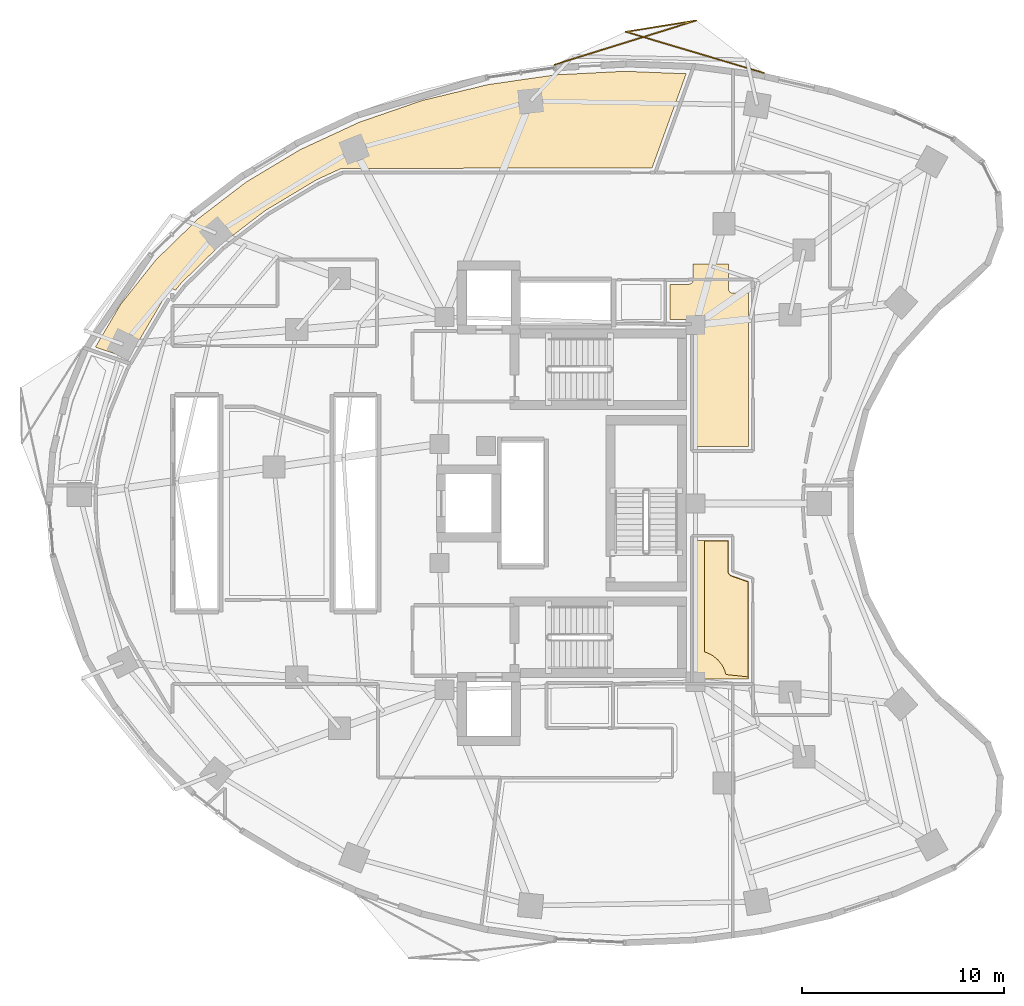
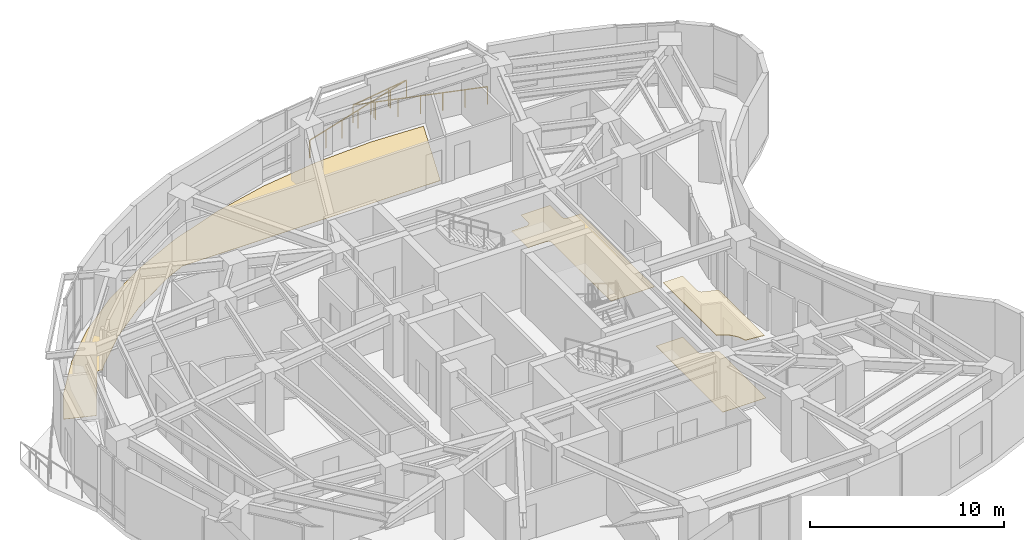
# One storey, part 15 of 15: 4 coverings, 1 railing.
"""IFC4 building model written with IfcOpenShell, lengths in metres."""

import ifcopenshell
import ifcopenshell.guid

model = None  # the IFC model being written
_history = None  # IfcOwnerHistory: only IFC2X3 demands one
_inside = {}  # id of a spatial element -> (the spatial element, [elements in it])
_under = {}  # id of a project, library or spatial element -> (it, [spatial elements below it])
_declared = {}  # id of a project -> (the project, [libraries it declares])
_typed = {}  # id of a type object -> (the type object, [elements of that type])
_made_of = {}  # id of a material, layer set ... -> (it, [elements and type objects made of it])


def new_model(schema):
    """Start an empty IFC model of exactly this schema.

    Asked for "IFC4X3", IfcOpenShell would pick the latest addendum, in which some entities
    have other attributes; the version numbers below select the first issue.
    IFC2X3 requires an IfcOwnerHistory on every rooted entity: one is made here for all.
    """
    global model, _history
    if schema == "IFC4X3":
        model = ifcopenshell.file(schema_version=(4, 3, 0, 0))
    else:
        model = ifcopenshell.file(schema=schema)
    _inside.clear()
    _under.clear()
    _declared.clear()
    _typed.clear()
    _made_of.clear()
    _history = None
    if model.schema == "IFC2X3":
        org = make("IfcOrganization", Name="unknown")
        user = make(
            "IfcPersonAndOrganization",
            ThePerson=make("IfcPerson", FamilyName="unknown"),
            TheOrganization=org,
        )
        app = make(
            "IfcApplication",
            ApplicationDeveloper=org,
            Version="unknown",
            ApplicationFullName="unknown",
            ApplicationIdentifier="unknown",
        )
        _history = make(
            "IfcOwnerHistory",
            OwningUser=user,
            OwningApplication=app,
            ChangeAction="ADDED",
            CreationDate=0,
        )
    return model


def make(cls, **values):
    """One entity of the class cls with the attributes given. An attribute that is None is left unset."""
    return model.create_entity(
        cls, **{name: value for name, value in values.items() if value is not None}
    )


def rooted(cls, **values):
    """An entity with a GlobalId (a new one), such as an element, a storey or a relation."""
    return make(cls, GlobalId=ifcopenshell.guid.new(), OwnerHistory=_history, **values)


def si_unit(unit_type, name, prefix=None):
    """IfcSIUnit, for example si_unit("LENGTHUNIT", "METRE", prefix="MILLI")."""
    return make("IfcSIUnit", UnitType=unit_type, Prefix=prefix, Name=name)


def assignment(units):
    """IfcUnitAssignment: the units of a project."""
    return None if units is None else make("IfcUnitAssignment", Units=units)


def point(xyz):
    """IfcCartesianPoint."""
    return None if xyz is None else make("IfcCartesianPoint", Coordinates=xyz)


def direction(xyz):
    """IfcDirection."""
    return None if xyz is None else make("IfcDirection", DirectionRatios=xyz)


def frame(location, z_axis=None, x_axis=None):
    """IfcAxis2Placement3D, a coordinate frame: its origin and axes. An axis left out is left unset."""
    return make(
        "IfcAxis2Placement3D",
        Location=point(location),
        Axis=direction(z_axis),
        RefDirection=direction(x_axis),
    )


def frame_2d(location, x_axis=None):
    """IfcAxis2Placement2D, a coordinate frame in the plane: its origin and x axis."""
    return make(
        "IfcAxis2Placement2D", Location=point(location), RefDirection=direction(x_axis)
    )


def origin():
    """The frame at (0, 0, 0) with its axes left unset."""
    return frame((0.0, 0.0, 0.0))


def origin_2d():
    """The frame at (0, 0) in the plane with its x axis left unset."""
    return frame_2d((0.0, 0.0))


def place(relative_to, where):
    """IfcLocalPlacement: puts the frame where relative to a parent placement (None: the world)."""
    return make(
        "IfcLocalPlacement", PlacementRelTo=relative_to, RelativePlacement=where
    )


def context(
    kind, dimensions, precision=None, world=None, true_north=None, identifier=None
):
    """IfcGeometricRepresentationContext, for example the 3D "Model" context."""
    return make(
        "IfcGeometricRepresentationContext",
        ContextIdentifier=identifier,
        ContextType=kind,
        CoordinateSpaceDimension=dimensions,
        Precision=precision,
        WorldCoordinateSystem=world,
        TrueNorth=true_north,
    )


def subcontext(parent, identifier, kind, view, scale=None):
    """IfcGeometricRepresentationSubContext, for example "Body" below "Model"."""
    return make(
        "IfcGeometricRepresentationSubContext",
        ContextIdentifier=identifier,
        ContextType=kind,
        ParentContext=parent,
        TargetScale=scale,
        TargetView=view,
    )


def project(units=None, contexts=None):
    """IfcProject with its units and contexts."""
    return rooted(
        "IfcProject",
        Name="project",
        RepresentationContexts=contexts,
        UnitsInContext=assignment(units),
    )


def spatial(cls, under=None, at=None, **own):
    """A site, building, storey or space (cls), placed at a placement, below another one or the project."""
    s = rooted(cls, ObjectPlacement=at, **own)
    if under is not None:
        _under.setdefault(under.id(), (under, []))[1].append(s)
    return s


def polyline(points):
    """IfcPolyline through the points."""
    return make("IfcPolyline", Points=[point(p) for p in points])


def profile(cls, at=None, kind="AREA", **sizes):
    """A parametric profile (cls). Its sizes go by their IFC names, for example OverallWidth=200.0."""
    return make(cls, ProfileType=kind, Position=at, **sizes)


def rectangle(**sizes):
    """IfcRectangleProfileDef."""
    return profile("IfcRectangleProfileDef", **sizes)


def outline(outer, holes=None, kind="AREA"):
    """IfcArbitraryClosedProfileDef: a profile drawn as a closed curve; with holes, ...WithVoids."""
    if holes is None:
        return make("IfcArbitraryClosedProfileDef", ProfileType=kind, OuterCurve=outer)
    return make(
        "IfcArbitraryProfileDefWithVoids",
        ProfileType=kind,
        OuterCurve=outer,
        InnerCurves=holes,
    )


def extrude(swept, where, along, depth):
    """IfcExtrudedAreaSolid: the profile swept, set in the frame where, extruded along a direction by depth."""
    return make(
        "IfcExtrudedAreaSolid",
        SweptArea=swept,
        Position=where,
        ExtrudedDirection=direction(along),
        Depth=depth,
    )


def shape(context_of_items, identifier, shape_type, items):
    """IfcShapeRepresentation: the items that make up one representation, for example the "Body"."""
    return make(
        "IfcShapeRepresentation",
        ContextOfItems=context_of_items,
        RepresentationIdentifier=identifier,
        RepresentationType=shape_type,
        Items=items,
    )


def material(Name=None, Category=None):
    """IfcMaterial."""
    return make("IfcMaterial", Name=Name, Category=Category)


def layer(
    of_material, thickness, ventilated=None, Name=None, Category=None, Priority=None
):
    """IfcMaterialLayer: one layer of a wall or slab, of a material (None: an air gap)."""
    return make(
        "IfcMaterialLayer",
        Material=of_material,
        LayerThickness=thickness,
        IsVentilated=ventilated,
        Name=Name,
        Category=Category,
        Priority=Priority,
    )


def layer_set(layers, Name=None):
    """IfcMaterialLayerSet."""
    return make("IfcMaterialLayerSet", MaterialLayers=layers, LayerSetName=Name)


def made_of(thing, what):
    """Note that an element or type object is made of a material, layer set ...; save() writes the relation."""
    if what is not None:
        _made_of.setdefault(what.id(), (what, []))[1].append(thing)
    return thing


def type_object(cls, material=None, **own):
    """A type object (cls), such as IfcWallType, which elements share."""
    return made_of(rooted(cls, **own), material)


def element(
    cls,
    number,
    at=None,
    inside=None,
    cuts=None,
    type_object=None,
    material=None,
    context=None,
    identifier="Body",
    shape_type=None,
    held_by="IfcProductDefinitionShape",
    body=None,
    shapes=None,
    **own,
):
    """One element of the class cls, such as IfcWall. Its Tag is "e" and its number.

    at: its placement. inside: the storey or other place that contains it. cuts: it is an
    opening in that element (IfcRelVoidsElement). A single representation is given by context,
    identifier, shape_type and body (its items); several are given by shapes. held_by: the class
    of the entity that holds the representations. save() writes the other relations.
    """
    e = rooted(cls, Tag="e%d" % number, ObjectPlacement=at, **own)
    if body is not None:
        shapes = [shape(context, identifier, shape_type, body)]
    if shapes is not None:
        e.Representation = make(held_by, Representations=shapes)
    if inside is not None:
        _inside.setdefault(inside.id(), (inside, []))[1].append(e)
    if cuts is not None:
        rooted(
            "IfcRelVoidsElement", RelatingBuildingElement=cuts, RelatedOpeningElement=e
        )
    if type_object is not None:
        _typed.setdefault(type_object.id(), (type_object, []))[1].append(e)
    return made_of(e, material)


def aggregate(whole, parts):
    """IfcRelAggregates: a whole, such as a stair, and the parts it consists of."""
    return rooted("IfcRelAggregates", RelatingObject=whole, RelatedObjects=parts)


def save(model, path):
    """Write the relations noted so far, then the file.

    IfcRelAggregates (storeys below a building ...), IfcRelContainedInSpatialStructure (elements
    in a storey), IfcRelDefinesByType, IfcRelAssociatesMaterial and IfcRelDeclares: one each for
    every whole, place, type object, material and project.
    """
    for whole, parts in _under.values():
        aggregate(whole, parts)
    for where, things in _inside.values():
        rooted(
            "IfcRelContainedInSpatialStructure",
            RelatedElements=things,
            RelatingStructure=where,
        )
    for kind, things in _typed.values():
        rooted("IfcRelDefinesByType", RelatedObjects=things, RelatingType=kind)
    for what, things in _made_of.values():
        rooted("IfcRelAssociatesMaterial", RelatedObjects=things, RelatingMaterial=what)
    for by, libraries in _declared.values():
        rooted("IfcRelDeclares", RelatingContext=by, RelatedDefinitions=libraries)
    model.write(path)


model = new_model("IFC4")

# Units and contexts
model_context = context("Model", 3, precision=1e-05, world=origin(), true_north=direction((0.0, 1.0)))
body_context = subcontext(model_context, "Body", "Model", "MODEL_VIEW")
ifc_project = project(units=[si_unit("LENGTHUNIT", "METRE"), si_unit("AREAUNIT", "SQUARE_METRE"), si_unit("VOLUMEUNIT", "CUBIC_METRE"), si_unit("PLANEANGLEUNIT", "RADIAN"), si_unit("MASSUNIT", "GRAM", prefix="KILO")], contexts=[model_context])

# Site, building, storey
site_placement = place(None, origin())
site = spatial("IfcSite", under=ifc_project, at=site_placement, CompositionType="ELEMENT")
building_placement = place(site_placement, origin())
building = spatial("IfcBuilding", under=site, at=building_placement, Name="Korentha Bioscience Tower", CompositionType="ELEMENT")
storey_placement = place(building_placement, frame((0.0, 0.0, 127.800048828125)))
storey = spatial("IfcBuildingStorey", under=building, at=storey_placement, Name="L29", CompositionType="ELEMENT", Elevation=127.800048828125)

# Railing
ifc_material_1 = material(Name="Laminated Tempered Safety Glass", Category="glass")
railing_type = type_object("IfcRailingType", Name="Laminated Glass Balcony Guardrail 1150", PredefinedType="BALUSTRADE", material=ifc_material_1)
railing_placement = place(storey_placement, frame((40.925537109375, 48.3564453125, 0.0)))
element("IfcRailing", 1, at=railing_placement, inside=storey, type_object=railing_type, Name="L29 Balcony Guardrail 01", PredefinedType="BALUSTRADE", context=body_context, shape_type="SweptSolid", body=[
    extrude(rectangle(XDim=0.048095703125, YDim=0.048095703125, at=origin_2d()), frame((0.0, 0.0, 1.1259765625), z_axis=(-0.958299428434, 0.285765997736, 0.0), x_axis=(-0.285765997736, -0.958299428434, 0.0)), (0.0, 0.0, 1.0), 7.137939453125),
    extrude(rectangle(XDim=0.048095703125, YDim=0.048095703125, at=origin_2d()), frame((-6.84033203125, 2.039794921875, 1.1259765625), z_axis=(0.987385992889, 0.158331617329, 0.0), x_axis=(-0.158331617329, 0.987385992889, 0.0)), (0.0, 0.0, 1.0), 3.544921875),
    extrude(rectangle(XDim=0.048095703125, YDim=0.048095703125, at=origin_2d()), frame((-3.340087890625, 2.60107421875, 1.1259765625), z_axis=(-0.954750497561, -0.297407947786, 0.0), x_axis=(0.297407947786, -0.954750497561, 0.0)), (0.0, 0.0, 1.0), 7.360107421875),
    extrude(rectangle(XDim=0.0419921875, YDim=0.0419921875, at=origin_2d()), origin(), (0.0, 0.0, 1.0), 1.101806640625),
    extrude(rectangle(XDim=0.0419921875, YDim=0.0419921875, at=origin_2d()), frame((-1.14013671875, 0.33984375, 0.0)), (0.0, 0.0, 1.0), 1.101806640625),
    extrude(rectangle(XDim=0.0419921875, YDim=0.0419921875, at=origin_2d()), frame((-2.280029296875, 0.679931640625, 0.0)), (0.0, 0.0, 1.0), 1.101806640625),
    extrude(rectangle(XDim=0.0419921875, YDim=0.0419921875, at=origin_2d()), frame((-3.420166015625, 1.02001953125, 0.0)), (0.0, 0.0, 1.0), 1.101806640625),
    extrude(rectangle(XDim=0.0419921875, YDim=0.0419921875, at=origin_2d()), frame((-4.560302734375, 1.35986328125, 0.0)), (0.0, 0.0, 1.0), 1.101806640625),
    extrude(rectangle(XDim=0.0419921875, YDim=0.0419921875, at=origin_2d()), frame((-5.7001953125, 1.69970703125, 0.0)), (0.0, 0.0, 1.0), 1.101806640625),
    extrude(rectangle(XDim=0.0419921875, YDim=0.0419921875, at=origin_2d()), frame((-6.84033203125, 2.039794921875, 0.0)), (0.0, 0.0, 1.0), 1.101806640625),
    extrude(rectangle(XDim=0.0419921875, YDim=0.0419921875, at=origin_2d()), frame((-5.673583984375, 2.226806640625, 0.0)), (0.0, 0.0, 1.0), 1.101806640625),
    extrude(rectangle(XDim=0.0419921875, YDim=0.0419921875, at=origin_2d()), frame((-4.5068359375, 2.4140625, 0.0)), (0.0, 0.0, 1.0), 1.101806640625),
    extrude(rectangle(XDim=0.0419921875, YDim=0.0419921875, at=origin_2d()), frame((-3.340087890625, 2.60107421875, 0.0)), (0.0, 0.0, 1.0), 1.101806640625),
    extrude(rectangle(XDim=0.0419921875, YDim=0.0419921875, at=origin_2d()), frame((-4.51123046875, 2.236328125, 0.0)), (0.0, 0.0, 1.0), 1.101806640625),
    extrude(rectangle(XDim=0.0419921875, YDim=0.0419921875, at=origin_2d()), frame((-5.682373046875, 1.871337890625, 0.0)), (0.0, 0.0, 1.0), 1.101806640625),
    extrude(rectangle(XDim=0.0419921875, YDim=0.0419921875, at=origin_2d()), frame((-6.853515625, 1.506591796875, 0.0)), (0.0, 0.0, 1.0), 1.101806640625),
    extrude(rectangle(XDim=0.0419921875, YDim=0.0419921875, at=origin_2d()), frame((-8.02490234375, 1.141845703125, 0.0)), (0.0, 0.0, 1.0), 1.101806640625),
    extrude(rectangle(XDim=0.0419921875, YDim=0.0419921875, at=origin_2d()), frame((-9.196044921875, 0.77685546875, 0.0)), (0.0, 0.0, 1.0), 1.101806640625),
    extrude(rectangle(XDim=0.0419921875, YDim=0.0419921875, at=origin_2d()), frame((-10.3671875, 0.412109375, 0.0)), (0.0, 0.0, 1.0), 1.101806640625),
])

# Coverings
ifc_material_2 = material(Name="Antimicrobial Mineral Fibre Board", Category="gypsum")
ifc_layer_1 = layer(ifc_material_2, 0.034912109375, Name="Antimicrobial Mineral Fibre Board")
ifc_layer_set_1 = layer_set([ifc_layer_1], Name="Antimicrobial Mineral Fibre Board (CL-MF35)")
covering_type_1 = type_object("IfcCoveringType", Name="Mineral-Fibre Cleanroom Suspended Ceiling 35", PredefinedType="CEILING", material=ifc_layer_set_1)
covering_1_placement = place(storey_placement, frame((0.0, 0.0, 3.864990234375)))
element("IfcCovering", 2, at=covering_1_placement, inside=storey, type_object=covering_type_1, Name="L29 Visiting Faculty Study Office 05 Acoustic Ceiling", PredefinedType="CEILING", context=body_context, shape_type="SweptSolid", body=[
    extrude(outline(polyline([(39.14794921875, 23.638916015625), (39.175048828125, 23.514404296875), (39.276611328125, 23.408447265625), (40.139892578125, 23.10693359375), (40.139892578125, 18.390869140625), (39.055908203125, 18.509033203125), (38.98193359375, 18.7431640625), (38.9169921875, 18.880615234375), (38.8388671875, 19.010986328125), (38.64599609375, 19.24609375), (38.4111328125, 19.438720703125), (38.28076171875, 19.51708984375), (37.989990234375, 19.6357421875), (37.989990234375, 25.139892578125), (39.14794921875, 25.139892578125), (39.14794921875, 23.638916015625)])), origin(), (0.0, 0.0, 1.0), 0.034912109375),
])
ifc_material_3 = material(Name="Chemical-Resistant Epoxy Resin", Category="polymer")
ifc_layer_2 = layer(ifc_material_3, 0.011962890625, Name="Chemical-Resistant Epoxy Resin")
ifc_layer_set_2 = layer_set([ifc_layer_2], Name="Chemical-Resistant Epoxy Resin (FL-EPX)")
covering_type_2 = type_object("IfcCoveringType", Name="Seamless Epoxy Laboratory Flooring 12", PredefinedType="FLOORING", material=ifc_layer_set_2)
covering_2_placement = place(storey_placement, origin())
element("IfcCovering", 3, at=covering_2_placement, inside=storey, type_object=covering_type_2, Name="L29 Visiting Faculty Study Office 05 Floor Finish", PredefinedType="FLOORING", context=body_context, shape_type="SweptSolid", body=[
    extrude(outline(polyline([(37.580078125, 25.169921875), (39.177978515625, 25.169921875), (39.177734375, 23.633544921875), (39.20166015625, 23.5283203125), (39.23974609375, 23.474609375), (39.310791015625, 23.4248046875), (40.169921875, 23.12841796875), (40.169921875, 18.278076171875), (37.580078125, 18.278076171875), (37.580078125, 25.169921875)])), origin(), (0.0, 0.0, 1.0), 0.011962890625),
])
covering_3_placement = place(storey_placement, origin())
element("IfcCovering", 4, at=covering_3_placement, inside=storey, type_object=covering_type_2, Name="L29 Ethics and Biosafety Briefing Room 07 Floor Finish", PredefinedType="FLOORING", context=body_context, shape_type="SweptSolid", body=[
    extrude(outline(polyline([(39.177978515625, 37.646728515625), (39.1953125, 37.5654296875), (39.23046875, 37.5078125), (39.28076171875, 37.463623046875), (39.363037109375, 37.431396484375), (40.169921875, 37.427978515625), (40.169921875, 29.822021484375), (37.580078125, 29.822021484375), (37.577392578125, 35.93408203125), (37.5576171875, 35.998779296875), (37.5048828125, 36.070068359375), (37.38427734375, 36.12744140625), (36.280029296875, 36.1298828125), (36.280029296875, 37.8701171875), (37.2119140625, 37.870361328125), (37.27783203125, 37.883544921875), (37.35400390625, 37.92919921875), (37.40771484375, 38.001220703125), (37.4296875, 38.088134765625), (37.429931640625, 38.8701171875), (39.177978515625, 38.8701171875), (39.177978515625, 37.646728515625)])), origin(), (0.0, 0.0, 1.0), 0.011962890625),
])
covering_4_placement = place(storey_placement, origin())
element("IfcCovering", 5, at=covering_4_placement, inside=storey, type_object=covering_type_2, Name="L29 Instrument Calibration Workshop 09 Floor Finish", PredefinedType="FLOORING", context=body_context, shape_type="SweptSolid", body=[
    extrude(outline(polyline([(9.017822265625, 36.86376953125), (10.766845703125, 39.0712890625), (12.85693359375, 41.108642578125), (15.259033203125, 42.944580078125), (17.938720703125, 44.5517578125), (20.857421875, 45.905517578125), (23.972900390625, 46.98486328125), (27.23876953125, 47.77392578125), (30.60791015625, 48.260498046875), (34.030517578125, 48.436767578125), (37.081298828125, 48.3154296875), (35.386474609375, 43.63330078125), (19.9814453125, 43.62158203125), (18.735595703125, 43.047119140625), (16.21533203125, 41.535400390625), (13.97021484375, 39.8193359375), (12.042236328125, 37.940673828125), (11.744873046875, 37.568115234375), (11.681640625, 37.6142578125), (11.596435546875, 37.637451171875), (11.5087890625, 37.626708984375), (11.431396484375, 37.583740234375), (11.3818359375, 37.52490234375), (9.4130859375, 34.188232421875), (7.772705078125, 34.753173828125), (9.017822265625, 36.86376953125)])), origin(), (0.0, 0.0, 1.0), 0.011962890625),
])

save(model, "model.ifc")
